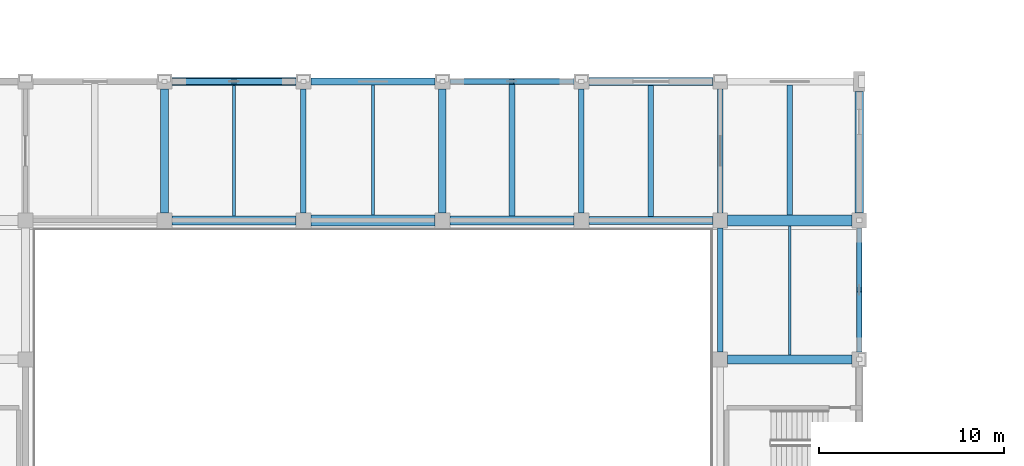
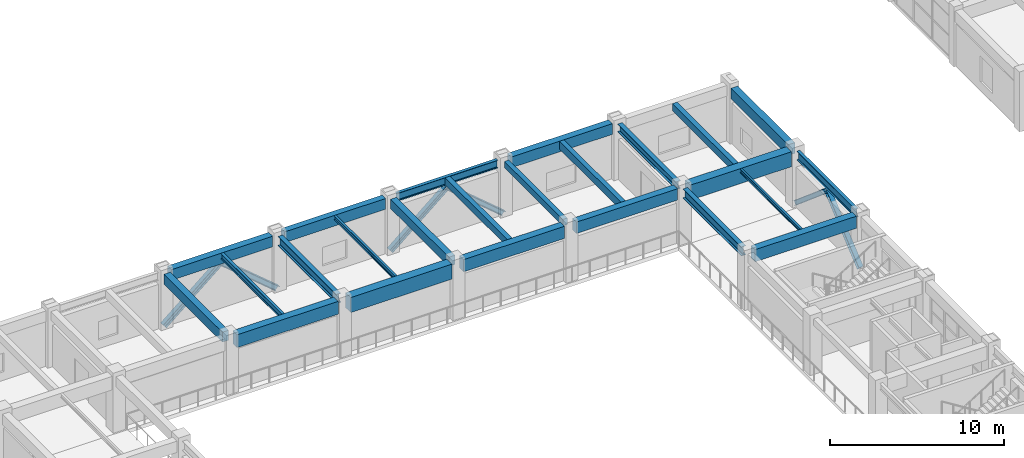
# One storey, part 52 of 124: 24 beams, 6 members.
"""IFC4 building model written with IfcOpenShell, lengths in metres."""

from ifc_helpers import new_model, si_unit, direction, frame, origin, origin_2d, place, context, subcontext, project, spatial, rectangle, i_section, extrude, material, material_profile, profile_set, type_object, element, save


model = new_model("IFC4")

# Units and contexts
model_context = context("Model", 3, precision=1e-05, world=origin(), true_north=direction((0.0, 1.0)))
body_context = subcontext(model_context, "Body", "Model", "MODEL_VIEW")
ifc_project = project(units=[si_unit("LENGTHUNIT", "METRE"), si_unit("AREAUNIT", "SQUARE_METRE"), si_unit("VOLUMEUNIT", "CUBIC_METRE"), si_unit("PLANEANGLEUNIT", "RADIAN"), si_unit("MASSUNIT", "GRAM", prefix="KILO")], contexts=[model_context])

# Site, building, storey
site_placement = place(None, origin())
site = spatial("IfcSite", under=ifc_project, at=site_placement, CompositionType="ELEMENT")
building_placement = place(site_placement, origin())
building = spatial("IfcBuilding", under=site, at=building_placement, Name="Qasida Concert Hall", CompositionType="ELEMENT")
storey_placement = place(building_placement, frame((0.0, 0.0, 9.0)))
storey = spatial("IfcBuildingStorey", under=building, at=storey_placement, Name="L02", CompositionType="ELEMENT", Elevation=9.0)

# Beams
ifc_material_1 = material(Name="Concrete C40/50", Category="concrete")
ifc_material_profile_1 = material_profile(ifc_material_1, rectangle(XDim=0.39990234375, YDim=0.64990234375, at=origin_2d()), Name="RC 400x650")
ifc_profile_set_1 = profile_set([ifc_material_profile_1], Name="Concrete C40/50")
beam_type_1 = type_object("IfcBeamType", Name="BM-B1", PredefinedType="BEAM", material=ifc_profile_set_1)
beam_1_placement = place(storey_placement, frame((82.5, 75.39990234375, 3.574951171875), z_axis=(0.0, 1.0, 0.0), x_axis=(-1.0, 0.0, 0.0)))
element("IfcBeam", 1, at=beam_1_placement, inside=storey, type_object=beam_type_1, Name="L02 girder 1186", PredefinedType="BEAM", context=body_context, shape_type="SweptSolid", body=[
    extrude(rectangle(XDim=0.39990234375, YDim=0.64990234375, at=origin_2d()), origin(), (0.0, 0.0, 1.0), 6.7001953125),
])
ifc_material_profile_2 = material_profile(ifc_material_1, rectangle(XDim=0.419921875, YDim=0.699951171875, at=origin_2d()), Name="RC 420x700")
ifc_profile_set_2 = profile_set([ifc_material_profile_2], Name="Concrete C40/50")
beam_type_2 = type_object("IfcBeamType", Name="BM-B11", PredefinedType="BEAM", material=ifc_profile_set_2)
beam_2_placement = place(storey_placement, frame((67.5, 75.39990234375, 3.550048828125), z_axis=(0.0, 1.0, 0.0), x_axis=(-1.0, 0.0, 0.0)))
element("IfcBeam", 2, at=beam_2_placement, inside=storey, type_object=beam_type_2, Name="L02 girder 1183", PredefinedType="BEAM", context=body_context, shape_type="SweptSolid", body=[
    extrude(rectangle(XDim=0.419921875, YDim=0.699951171875, at=origin_2d()), origin(), (0.0, 0.0, 1.0), 6.7001953125),
])
ifc_material_2 = material(Name="Steel S355J2", Category="steel")
ifc_material_profile_3 = material_profile(ifc_material_2, i_section(OverallWidth=0.300048828125, OverallDepth=0.550048828125, WebThickness=0.014892578125, FlangeThickness=0.029052734375, FilletRadius=0.027099609375, at=origin_2d()), Name="HEB 550")
ifc_profile_set_3 = profile_set([ifc_material_profile_3], Name="Steel S355J2")
beam_type_3 = type_object("IfcBeamType", Name="BM-B12", PredefinedType="BEAM", material=ifc_profile_set_3)
beam_3_placement = place(storey_placement, frame((97.5, 75.39990234375, 3.625), z_axis=(0.0, 1.0, 0.0), x_axis=(-1.0, 0.0, 0.0)))
element("IfcBeam", 3, at=beam_3_placement, inside=storey, type_object=beam_type_3, Name="L02 girder 1194", PredefinedType="BEAM", context=body_context, shape_type="SweptSolid", body=[
    extrude(i_section(OverallWidth=0.300048828125, OverallDepth=0.550048828125, WebThickness=0.014892578125, FlangeThickness=0.029052734375, FilletRadius=0.027099609375, at=origin_2d()), origin(), (0.0, 0.0, 1.0), 6.7001953125),
])
ifc_material_profile_4 = material_profile(ifc_material_2, i_section(OverallWidth=0.300048828125, OverallDepth=0.64990234375, WebThickness=0.01611328125, FlangeThickness=0.031005859375, FilletRadius=0.027099609375, at=origin_2d()), Name="HEB 650")
ifc_profile_set_4 = profile_set([ifc_material_profile_4], Name="Steel S355J2")
beam_type_4 = type_object("IfcBeamType", Name="BM-B13", PredefinedType="BEAM", material=ifc_profile_set_4)
for number, where, z_axis, x_axis, name in (
    (4, (75.0, 75.39990234375, 3.574951171875), (0.0, 1.0, 0.0), (-1.0, 0.0, 0.0), "L02 girder 1185"),
    (5, (97.5, 67.89990234375, 3.574951171875), (0.0, 1.0, 0.0), (-1.0, 0.0, 0.0), "L02 girder 1193"),
):
    element("IfcBeam", number, at=place(storey_placement, frame(where, z_axis=z_axis, x_axis=x_axis)), inside=storey, type_object=beam_type_4, Name=name, PredefinedType="BEAM", context=body_context, shape_type="SweptSolid", body=[
        extrude(i_section(OverallWidth=0.300048828125, OverallDepth=0.64990234375, WebThickness=0.01611328125, FlangeThickness=0.031005859375, FilletRadius=0.027099609375, at=origin_2d()), origin(), (0.0, 0.0, 1.0), 6.7001953125),
    ])
ifc_material_profile_5 = material_profile(ifc_material_1, rectangle(XDim=0.300048828125, YDim=0.449951171875, at=origin_2d()), Name="RC 300x450")
ifc_profile_set_5 = profile_set([ifc_material_profile_5], Name="Concrete C40/50")
beam_type_5 = type_object("IfcBeamType", Name="BM-B3", PredefinedType="BEAM", material=ifc_profile_set_5)
beam_4_placement = place(storey_placement, frame((90.0, 75.39990234375, 3.675048828125), z_axis=(0.0, 1.0, 0.0), x_axis=(-1.0, 0.0, 0.0)))
element("IfcBeam", 6, at=beam_4_placement, inside=storey, type_object=beam_type_5, Name="L02 girder 1188", PredefinedType="BEAM", context=body_context, shape_type="SweptSolid", body=[
    extrude(rectangle(XDim=0.300048828125, YDim=0.449951171875, at=origin_2d()), origin(), (0.0, 0.0, 1.0), 6.7001953125),
])
ifc_material_profile_6 = material_profile(ifc_material_1, rectangle(XDim=0.5, YDim=0.89990234375, at=origin_2d()), Name="RC 500x900")
ifc_profile_set_6 = profile_set([ifc_material_profile_6], Name="Concrete C40/50")
beam_type_6 = type_object("IfcBeamType", Name="BM-G1", PredefinedType="USERDEFINED", material=ifc_profile_set_6)
beam_5_placement = place(storey_placement, frame((67.89990234375, 75.0, 3.449951171875), z_axis=(1.0, 0.0, 0.0), x_axis=(0.0, 1.0, 0.0)))
element("IfcBeam", 7, at=beam_5_placement, inside=storey, type_object=beam_type_6, Name="Primary girder 1159", ObjectType="GIRDER", PredefinedType="USERDEFINED", context=body_context, shape_type="SweptSolid", body=[
    extrude(rectangle(XDim=0.5, YDim=0.89990234375, at=origin_2d()), origin(), (0.0, 0.0, 1.0), 6.7001953125),
])
ifc_material_profile_7 = material_profile(ifc_material_1, rectangle(XDim=0.449951171875, YDim=0.800048828125, at=origin_2d()), Name="RC 450x800")
ifc_profile_set_7 = profile_set([ifc_material_profile_7], Name="Concrete C40/50")
beam_type_7 = type_object("IfcBeamType", Name="BM-G2", PredefinedType="USERDEFINED", material=ifc_profile_set_7)
beam_6_placement = place(storey_placement, frame((90.39990234375, 75.0, 3.5), z_axis=(1.0, 0.0, 0.0), x_axis=(0.0, 1.0, 0.0)))
element("IfcBeam", 8, at=beam_6_placement, inside=storey, type_object=beam_type_7, Name="Primary girder 1162", ObjectType="GIRDER", PredefinedType="USERDEFINED", context=body_context, shape_type="SweptSolid", body=[
    extrude(rectangle(XDim=0.449951171875, YDim=0.800048828125, at=origin_2d()), origin(), (0.0, 0.0, 1.0), 6.7001953125),
])
ifc_material_profile_8 = material_profile(ifc_material_1, rectangle(XDim=0.47998046875, YDim=0.85009765625, at=origin_2d()), Name="RC 480x850")
ifc_profile_set_8 = profile_set([ifc_material_profile_8], Name="Concrete C40/50")
beam_type_8 = type_object("IfcBeamType", Name="BM-G6", PredefinedType="USERDEFINED", material=ifc_profile_set_8)
for number, where, z_axis, x_axis, name in (
    (9, (97.89990234375, 67.5, 3.47509765625), (1.0, 0.0, 0.0), (0.0, 1.0, 0.0), "Primary girder 1156"),
    (10, (82.89990234375, 75.0, 3.47509765625), (1.0, 0.0, 0.0), (0.0, 1.0, 0.0), "Primary girder 1161"),
):
    element("IfcBeam", number, at=place(storey_placement, frame(where, z_axis=z_axis, x_axis=x_axis)), inside=storey, type_object=beam_type_8, Name=name, ObjectType="GIRDER", PredefinedType="USERDEFINED", context=body_context, shape_type="SweptSolid", body=[
        extrude(rectangle(XDim=0.47998046875, YDim=0.85009765625, at=origin_2d()), origin(), (0.0, 0.0, 1.0), 6.7001953125),
    ])
ifc_material_3 = material(Name="Concrete C50/60", Category="concrete")
ifc_material_profile_9 = material_profile(ifc_material_3, rectangle(XDim=0.580078125, YDim=1.050048828125, at=origin_2d()), Name="RC 580x1050")
ifc_profile_set_9 = profile_set([ifc_material_profile_9], Name="Concrete C50/60")
beam_type_9 = type_object("IfcBeamType", Name="BM-G8", PredefinedType="USERDEFINED", material=ifc_profile_set_9)
for number, where, z_axis, x_axis, name in (
    (11, (75.39990234375, 75.0, 3.375), (1.0, 0.0, 0.0), (0.0, 1.0, 0.0), "Primary girder 1160"),
    (12, (97.89990234375, 75.0, 3.375), (1.0, 0.0, 0.0), (0.0, 1.0, 0.0), "Primary girder 1163"),
):
    element("IfcBeam", number, at=place(storey_placement, frame(where, z_axis=z_axis, x_axis=x_axis)), inside=storey, type_object=beam_type_9, Name=name, ObjectType="GIRDER", PredefinedType="USERDEFINED", context=body_context, shape_type="SweptSolid", body=[
        extrude(rectangle(XDim=0.580078125, YDim=1.050048828125, at=origin_2d()), origin(), (0.0, 0.0, 1.0), 6.7001953125),
    ])
ifc_material_profile_10 = material_profile(ifc_material_1, rectangle(XDim=0.300048828125, YDim=0.550048828125, at=origin_2d()), Name="RC 300x550")
ifc_profile_set_10 = profile_set([ifc_material_profile_10], Name="Concrete C40/50")
beam_type_10 = type_object("IfcBeamType", Name="BM-J1", PredefinedType="JOIST", material=ifc_profile_set_10)
beam_7_placement = place(storey_placement, frame((93.75, 75.22509765625, 3.625), z_axis=(0.0, 1.0, 0.0), x_axis=(-1.0, 0.0, 0.0)))
element("IfcBeam", 13, at=beam_7_placement, inside=storey, type_object=beam_type_10, Name="L02 secondary joist 1216", PredefinedType="JOIST", context=body_context, shape_type="SweptSolid", body=[
    extrude(rectangle(XDim=0.300048828125, YDim=0.550048828125, at=origin_2d()), origin(), (0.0, 0.0, 1.0), 7.0498046875),
])
ifc_material_profile_11 = material_profile(ifc_material_2, i_section(OverallWidth=0.179931640625, OverallDepth=0.39990234375, WebThickness=0.008544921875, FlangeThickness=0.013427734375, FilletRadius=0.02099609375, at=origin_2d()), Name="IPE 400")
ifc_profile_set_11 = profile_set([ifc_material_profile_11], Name="Steel S355J2")
beam_type_11 = type_object("IfcBeamType", Name="BM-J3", PredefinedType="JOIST", material=ifc_profile_set_11)
beam_8_placement = place(storey_placement, frame((71.25, 75.25, 3.699951171875), z_axis=(0.0, 1.0, 0.0), x_axis=(-1.0, 0.0, 0.0)))
element("IfcBeam", 14, at=beam_8_placement, inside=storey, type_object=beam_type_11, Name="L02 secondary joist 1210", PredefinedType="JOIST", context=body_context, shape_type="SweptSolid", body=[
    extrude(i_section(OverallWidth=0.179931640625, OverallDepth=0.39990234375, WebThickness=0.008544921875, FlangeThickness=0.013427734375, FilletRadius=0.02099609375, at=origin_2d()), origin(), (0.0, 0.0, 1.0), 7.02490234375),
])
ifc_material_profile_12 = material_profile(ifc_material_2, i_section(OverallWidth=0.14990234375, OverallDepth=0.300048828125, WebThickness=0.007080078125, FlangeThickness=0.0107421875, FilletRadius=0.014892578125, at=origin_2d()), Name="IPE 300")
ifc_profile_set_12 = profile_set([ifc_material_profile_12], Name="Steel S355J2")
beam_type_12 = type_object("IfcBeamType", Name="BM-J4", PredefinedType="JOIST", material=ifc_profile_set_12)
beam_9_placement = place(storey_placement, frame((78.75, 75.2900390625, 3.75), z_axis=(0.0, 1.0, 0.0), x_axis=(-1.0, 0.0, 0.0)))
element("IfcBeam", 15, at=beam_9_placement, inside=storey, type_object=beam_type_12, Name="L02 secondary joist 1211", PredefinedType="JOIST", context=body_context, shape_type="SweptSolid", body=[
    extrude(i_section(OverallWidth=0.14990234375, OverallDepth=0.300048828125, WebThickness=0.007080078125, FlangeThickness=0.0107421875, FilletRadius=0.014892578125, at=origin_2d()), origin(), (0.0, 0.0, 1.0), 7.010009765625),
])
ifc_material_profile_13 = material_profile(ifc_material_2, i_section(OverallWidth=0.135009765625, OverallDepth=0.27001953125, WebThickness=0.006591796875, FlangeThickness=0.01025390625, FilletRadius=0.014892578125, at=origin_2d()), Name="IPE 270")
ifc_profile_set_13 = profile_set([ifc_material_profile_13], Name="Steel S355J2")
beam_type_13 = type_object("IfcBeamType", Name="BM-J6", PredefinedType="JOIST", material=ifc_profile_set_13)
beam_10_placement = place(storey_placement, frame((101.25, 67.739990234375, 3.764892578125), z_axis=(0.0, 1.0, 0.0), x_axis=(-1.0, 0.0, 0.0)))
element("IfcBeam", 16, at=beam_10_placement, inside=storey, type_object=beam_type_13, Name="L02 secondary joist 1221", PredefinedType="JOIST", context=body_context, shape_type="SweptSolid", body=[
    extrude(i_section(OverallWidth=0.135009765625, OverallDepth=0.27001953125, WebThickness=0.006591796875, FlangeThickness=0.01025390625, FilletRadius=0.014892578125, at=origin_2d()), origin(), (0.0, 0.0, 1.0), 6.969970703125),
])
ifc_material_profile_14 = material_profile(ifc_material_1, rectangle(XDim=0.320068359375, YDim=0.5, at=origin_2d()), Name="RC 320x500")
ifc_profile_set_14 = profile_set([ifc_material_profile_14], Name="Concrete C40/50")
beam_type_14 = type_object("IfcBeamType", Name="BM-J7", PredefinedType="JOIST", material=ifc_profile_set_14)
beam_11_placement = place(storey_placement, frame((86.25, 75.239990234375, 3.64990234375), z_axis=(0.0, 1.0, 0.0), x_axis=(-1.0, 0.0, 0.0)))
element("IfcBeam", 17, at=beam_11_placement, inside=storey, type_object=beam_type_14, Name="L02 secondary joist 1214", PredefinedType="JOIST", context=body_context, shape_type="SweptSolid", body=[
    extrude(rectangle(XDim=0.320068359375, YDim=0.5, at=origin_2d()), origin(), (0.0, 0.0, 1.0), 7.155029296875),
])
beam_12_placement = place(storey_placement, frame((101.25, 75.2900390625, 3.64990234375), z_axis=(0.0, 1.0, 0.0), x_axis=(-1.0, 0.0, 0.0)))
element("IfcBeam", 18, at=beam_12_placement, inside=storey, type_object=beam_type_14, Name="L02 secondary joist 1222", PredefinedType="JOIST", context=body_context, shape_type="SweptSolid", body=[
    extrude(rectangle(XDim=0.320068359375, YDim=0.5, at=origin_2d()), origin(), (0.0, 0.0, 1.0), 7.010009765625),
])
ifc_material_profile_15 = material_profile(ifc_material_1, rectangle(XDim=0.39990234375, YDim=0.75, at=origin_2d()), Name="RC 400x750")
ifc_profile_set_15 = profile_set([ifc_material_profile_15], Name="Concrete C40/50")
beam_type_15 = type_object("IfcBeamType", Name="BM-SP1", PredefinedType="SPANDREL", material=ifc_profile_set_15)
beam_13_placement = place(storey_placement, frame((75.39990234375, 82.5, 3.52490234375), z_axis=(1.0, 0.0, 0.0), x_axis=(0.0, 1.0, 0.0)))
element("IfcBeam", 19, at=beam_13_placement, inside=storey, type_object=beam_type_15, Name="Primary girder 1167", PredefinedType="SPANDREL", context=body_context, shape_type="SweptSolid", body=[
    extrude(rectangle(XDim=0.39990234375, YDim=0.75, at=origin_2d()), origin(), (0.0, 0.0, 1.0), 6.7001953125),
])
ifc_material_profile_16 = material_profile(ifc_material_2, i_section(OverallWidth=0.2099609375, OverallDepth=0.550048828125, WebThickness=0.010986328125, FlangeThickness=0.01708984375, FilletRadius=0.02392578125, at=origin_2d()), Name="IPE 550")
ifc_profile_set_16 = profile_set([ifc_material_profile_16], Name="Steel S355J2")
beam_type_16 = type_object("IfcBeamType", Name="BM-SP2", PredefinedType="SPANDREL", material=ifc_profile_set_16)
beam_14_placement = place(storey_placement, frame((82.89990234375, 82.5, 3.625), z_axis=(1.0, 0.0, 0.0), x_axis=(0.0, 1.0, 0.0)))
element("IfcBeam", 20, at=beam_14_placement, inside=storey, type_object=beam_type_16, Name="Primary girder 1168", PredefinedType="SPANDREL", context=body_context, shape_type="SweptSolid", body=[
    extrude(i_section(OverallWidth=0.2099609375, OverallDepth=0.550048828125, WebThickness=0.010986328125, FlangeThickness=0.01708984375, FilletRadius=0.02392578125, at=origin_2d()), origin(), (0.0, 0.0, 1.0), 6.7001953125),
])
ifc_material_profile_17 = material_profile(ifc_material_2, i_section(OverallWidth=0.219970703125, OverallDepth=0.60009765625, WebThickness=0.011962890625, FlangeThickness=0.01904296875, FilletRadius=0.02392578125, at=origin_2d()), Name="IPE 600")
ifc_profile_set_17 = profile_set([ifc_material_profile_17], Name="Steel S355J2")
beam_type_17 = type_object("IfcBeamType", Name="BM-SP3", PredefinedType="SPANDREL", material=ifc_profile_set_17)
beam_15_placement = place(storey_placement, frame((105.0, 67.89990234375, 3.60009765625), z_axis=(0.0, 1.0, 0.0), x_axis=(-1.0, 0.0, 0.0)))
element("IfcBeam", 21, at=beam_15_placement, inside=storey, type_object=beam_type_17, Name="L02 girder 1199", PredefinedType="SPANDREL", context=body_context, shape_type="SweptSolid", body=[
    extrude(i_section(OverallWidth=0.219970703125, OverallDepth=0.60009765625, WebThickness=0.011962890625, FlangeThickness=0.01904296875, FilletRadius=0.02392578125, at=origin_2d()), origin(), (0.0, 0.0, 1.0), 6.7001953125),
])
ifc_material_profile_18 = material_profile(ifc_material_1, rectangle(XDim=0.449951171875, YDim=0.75, at=origin_2d()), Name="RC 450x750")
ifc_profile_set_18 = profile_set([ifc_material_profile_18], Name="Concrete C40/50")
beam_type_18 = type_object("IfcBeamType", Name="BM-SP4", PredefinedType="SPANDREL", material=ifc_profile_set_18)
for number, where, z_axis, x_axis, name in (
    (22, (67.89990234375, 82.5, 3.52490234375), (1.0, 0.0, 0.0), (0.0, 1.0, 0.0), "Primary girder 1166"),
    (23, (90.39990234375, 82.5, 3.52490234375), (1.0, 0.0, 0.0), (0.0, 1.0, 0.0), "Primary girder 1169"),
):
    element("IfcBeam", number, at=place(storey_placement, frame(where, z_axis=z_axis, x_axis=x_axis)), inside=storey, type_object=beam_type_18, Name=name, PredefinedType="SPANDREL", context=body_context, shape_type="SweptSolid", body=[
        extrude(rectangle(XDim=0.449951171875, YDim=0.75, at=origin_2d()), origin(), (0.0, 0.0, 1.0), 6.7001953125),
    ])
beam_16_placement = place(storey_placement, frame((105.0, 75.39990234375, 3.52490234375), z_axis=(0.0, 1.0, 0.0), x_axis=(-1.0, 0.0, 0.0)))
element("IfcBeam", 24, at=beam_16_placement, inside=storey, type_object=beam_type_18, Name="L02 girder 1200", PredefinedType="SPANDREL", context=body_context, shape_type="SweptSolid", body=[
    extrude(rectangle(XDim=0.449951171875, YDim=0.75, at=origin_2d()), origin(), (0.0, 0.0, 1.0), 6.550048828125),
])

# Members
ifc_material_profile_19 = material_profile(ifc_material_2, i_section(OverallWidth=0.300048828125, OverallDepth=0.31005859375, WebThickness=0.009033203125, FlangeThickness=0.015380859375, FilletRadius=0.027099609375, at=origin_2d()), Name="HEA 320")
ifc_profile_set_19 = profile_set([ifc_material_profile_19], Name="Steel S355J2")
member_type_1 = type_object("IfcMemberType", Name="MB-BR10", PredefinedType="BRACE", material=ifc_profile_set_19)
for number, where, z_axis, x_axis, name in (
    (25, (105.0, 67.5, 0.0), (0.0, 0.763703031539, 0.645567718848), (-1.0, 0.0, 0.0), "L02 chevron brace CBF-0017"),
    (26, (105.0, 75.0, 0.0), (0.0, -0.763703031539, 0.645567718848), (1.0, 0.0, 0.0), "L02 chevron brace CBF-0018"),
):
    element("IfcMember", number, at=place(storey_placement, frame(where, z_axis=z_axis, x_axis=x_axis)), inside=storey, type_object=member_type_1, Name=name, PredefinedType="BRACE", context=body_context, shape_type="SweptSolid", body=[
        extrude(i_section(OverallWidth=0.300048828125, OverallDepth=0.31005859375, WebThickness=0.009033203125, FlangeThickness=0.015380859375, FilletRadius=0.027099609375, at=origin_2d()), origin(), (0.0, 0.0, 1.0), 4.910400390625),
    ])
ifc_material_profile_20 = material_profile(ifc_material_2, i_section(OverallWidth=0.300048828125, OverallDepth=0.35009765625, WebThickness=0.010009765625, FlangeThickness=0.017578125, FilletRadius=0.027099609375, at=origin_2d()), Name="HEA 360")
ifc_profile_set_20 = profile_set([ifc_material_profile_20], Name="Steel S355J2")
member_type_2 = type_object("IfcMemberType", Name="MB-BR11", PredefinedType="BRACE", material=ifc_profile_set_20)
for number, where, z_axis, x_axis, name in (
    (27, (67.5, 82.5, 0.0), (0.765714685296, 0.0, 0.643180395162), (0.0, 1.0, 0.0), "L02 chevron brace CBF-0029"),
    (28, (75.0, 82.5, 0.0), (-0.765714685296, 0.0, 0.643180395162), (0.0, -1.0, 0.0), "L02 chevron brace CBF-0030"),
):
    element("IfcMember", number, at=place(storey_placement, frame(where, z_axis=z_axis, x_axis=x_axis)), inside=storey, type_object=member_type_2, Name=name, PredefinedType="BRACE", context=body_context, shape_type="SweptSolid", body=[
        extrude(i_section(OverallWidth=0.300048828125, OverallDepth=0.35009765625, WebThickness=0.010009765625, FlangeThickness=0.017578125, FilletRadius=0.027099609375, at=origin_2d()), origin(), (0.0, 0.0, 1.0), 4.8974609375),
    ])
ifc_material_profile_21 = material_profile(ifc_material_2, i_section(OverallWidth=0.300048828125, OverallDepth=0.320068359375, WebThickness=0.011474609375, FlangeThickness=0.0205078125, FilletRadius=0.027099609375, at=origin_2d()), Name="HEB 320")
ifc_profile_set_21 = profile_set([ifc_material_profile_21], Name="Steel S355J2")
member_type_3 = type_object("IfcMemberType", Name="MB-BR12", PredefinedType="BRACE", material=ifc_profile_set_21)
for number, where, z_axis, x_axis, name in (
    (29, (82.5, 82.5, 0.0), (0.763703031539, 0.0, 0.645567718848), (0.0, 1.0, 0.0), "L02 chevron brace CBF-0041"),
    (30, (90.0, 82.5, 0.0), (-0.763703031539, 0.0, 0.645567718848), (0.0, -1.0, 0.0), "L02 chevron brace CBF-0042"),
):
    element("IfcMember", number, at=place(storey_placement, frame(where, z_axis=z_axis, x_axis=x_axis)), inside=storey, type_object=member_type_3, Name=name, PredefinedType="BRACE", context=body_context, shape_type="SweptSolid", body=[
        extrude(i_section(OverallWidth=0.300048828125, OverallDepth=0.320068359375, WebThickness=0.011474609375, FlangeThickness=0.0205078125, FilletRadius=0.027099609375, at=origin_2d()), origin(), (0.0, 0.0, 1.0), 4.910400390625),
    ])

save(model, "model.ifc")
